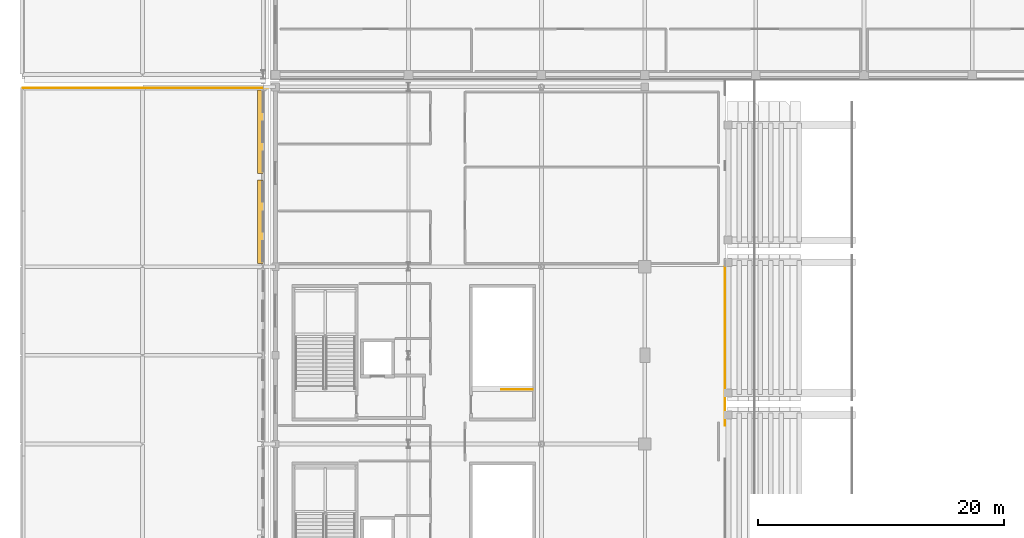
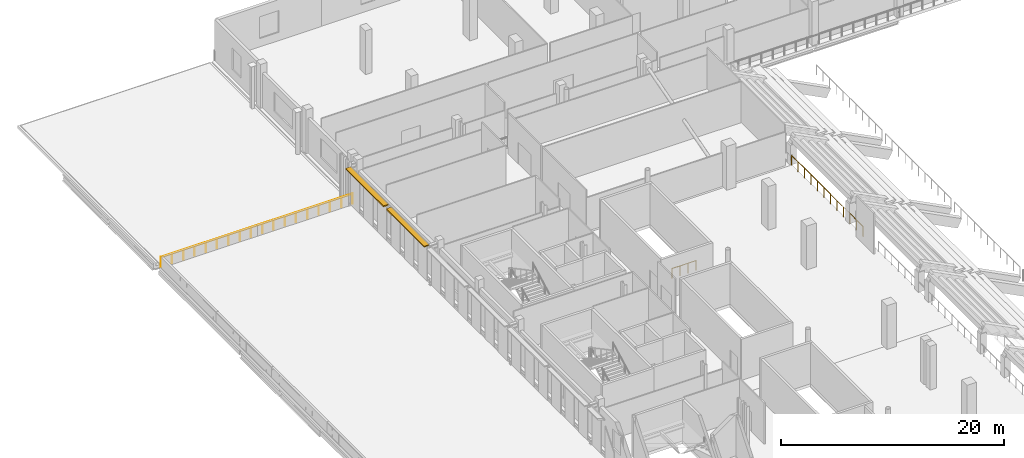
# One storey, part 61 of 74: 3 railings, 2 shading devices.
"""IFC4 building model written with IfcOpenShell, lengths in metres."""

from ifc_helpers import new_model, si_unit, direction, frame, origin, origin_2d, place, context, subcontext, project, spatial, rectangle, circle, extrude, material, type_object, element, save


model = new_model("IFC4")

# Units and contexts
model_context = context("Model", 3, precision=1e-05, world=origin(), true_north=direction((0.0, 1.0)))
body_context = subcontext(model_context, "Body", "Model", "MODEL_VIEW")
ifc_project = project(units=[si_unit("LENGTHUNIT", "METRE"), si_unit("AREAUNIT", "SQUARE_METRE"), si_unit("VOLUMEUNIT", "CUBIC_METRE"), si_unit("PLANEANGLEUNIT", "RADIAN"), si_unit("MASSUNIT", "GRAM", prefix="KILO")], contexts=[model_context])

# Site, building, storey
site_placement = place(None, origin())
site = spatial("IfcSite", under=ifc_project, at=site_placement, CompositionType="ELEMENT")
building_placement = place(site_placement, origin())
building = spatial("IfcBuilding", under=site, at=building_placement, Name="Koshinbarg Plaza Stadium", CompositionType="ELEMENT")
storey_placement = place(building_placement, frame((0.0, 0.0, 15.0)))
storey = spatial("IfcBuildingStorey", under=building, at=storey_placement, Name="L03", CompositionType="ELEMENT", Elevation=15.0)

# Railings
ifc_material_1 = material(Name="Toughened laminated glass and stainless steel sightline balustrade", Category="steel")
railing_type_1 = type_object("IfcRailingType", Name="RL-BOWL-1100", PredefinedType="BALUSTRADE", material=ifc_material_1)
railing_1_placement = place(storey_placement, frame((61.1201171875, 111.89990234375, 0.0)))
element("IfcRailing", 1, at=railing_1_placement, inside=storey, type_object=railing_type_1, Name="L03 deck edge safety balustrade 0230", PredefinedType="BALUSTRADE", context=body_context, shape_type="SweptSolid", body=[
    extrude(circle(Radius=0.02392578125, at=origin_2d()), frame((0.0, 0.0, 1.076171875), z_axis=(0.0, -1.0, 0.0), x_axis=(1.0, 0.0, 0.0)), (0.0, 0.0, 1.0), 12.8837890625),
    extrude(circle(Radius=0.02099609375, at=origin_2d()), origin(), (0.0, 0.0, 1.0), 1.052001953125),
    extrude(circle(Radius=0.02099609375, at=origin_2d()), frame((0.0, -1.171142578125, 0.0)), (0.0, 0.0, 1.0), 1.052001953125),
    extrude(circle(Radius=0.02099609375, at=origin_2d()), frame((0.0, -2.342529296875, 0.0)), (0.0, 0.0, 1.0), 1.052001953125),
    extrude(circle(Radius=0.02099609375, at=origin_2d()), frame((0.0, -3.513671875, 0.0)), (0.0, 0.0, 1.0), 1.052001953125),
    extrude(circle(Radius=0.02099609375, at=origin_2d()), frame((0.0, -4.68505859375, 0.0)), (0.0, 0.0, 1.0), 1.052001953125),
    extrude(circle(Radius=0.02099609375, at=origin_2d()), frame((0.0, -5.856201171875, 0.0)), (0.0, 0.0, 1.0), 1.052001953125),
    extrude(circle(Radius=0.02099609375, at=origin_2d()), frame((0.0, -7.027587890625, 0.0)), (0.0, 0.0, 1.0), 1.052001953125),
    extrude(circle(Radius=0.02099609375, at=origin_2d()), frame((0.0, -8.19873046875, 0.0)), (0.0, 0.0, 1.0), 1.052001953125),
    extrude(circle(Radius=0.02099609375, at=origin_2d()), frame((0.0, -9.3701171875, 0.0)), (0.0, 0.0, 1.0), 1.052001953125),
    extrude(circle(Radius=0.02099609375, at=origin_2d()), frame((0.0, -10.541259765625, 0.0)), (0.0, 0.0, 1.0), 1.052001953125),
    extrude(circle(Radius=0.02099609375, at=origin_2d()), frame((0.0, -11.712646484375, 0.0)), (0.0, 0.0, 1.0), 1.052001953125),
    extrude(circle(Radius=0.02099609375, at=origin_2d()), frame((0.0, -12.8837890625, 0.0)), (0.0, 0.0, 1.0), 1.052001953125),
])
ifc_material_2 = material(Name="Galvanized painted steel guardrail", Category="steel")
railing_type_2 = type_object("IfcRailingType", Name="RL-GUARD-1100", PredefinedType="GUARDRAIL", material=ifc_material_2)
railing_2_placement = place(storey_placement, frame((23.97509765625, 126.419921875, 0.0)))
element("IfcRailing", 2, at=railing_2_placement, inside=storey, type_object=railing_type_2, Name="L03 roof garden RG-L03-NW guard 0002", PredefinedType="GUARDRAIL", context=body_context, shape_type="SweptSolid", body=[
    extrude(circle(Radius=0.02392578125, at=origin_2d()), frame((0.0, 0.0, 1.076171875), z_axis=(-1.0, 0.0, 0.0), x_axis=(0.0, -1.0, 0.0)), (0.0, 0.0, 1.0), 19.89501953125),
    extrude(circle(Radius=0.02099609375, at=origin_2d()), origin(), (0.0, 0.0, 1.0), 1.052001953125),
    extrude(circle(Radius=0.02099609375, at=origin_2d()), frame((-1.17041015625, 0.0, 0.0)), (0.0, 0.0, 1.0), 1.052001953125),
    extrude(circle(Radius=0.02099609375, at=origin_2d()), frame((-2.340576171875, 0.0, 0.0)), (0.0, 0.0, 1.0), 1.052001953125),
    extrude(circle(Radius=0.02099609375, at=origin_2d()), frame((-3.510986328125, 0.0, 0.0)), (0.0, 0.0, 1.0), 1.052001953125),
    extrude(circle(Radius=0.02099609375, at=origin_2d()), frame((-4.68115234375, 0.0, 0.0)), (0.0, 0.0, 1.0), 1.052001953125),
    extrude(circle(Radius=0.02099609375, at=origin_2d()), frame((-5.8515625, 0.0, 0.0)), (0.0, 0.0, 1.0), 1.052001953125),
    extrude(circle(Radius=0.02099609375, at=origin_2d()), frame((-7.021728515625, 0.0, 0.0)), (0.0, 0.0, 1.0), 1.052001953125),
    extrude(circle(Radius=0.02099609375, at=origin_2d()), frame((-8.192138671875, 0.0, 0.0)), (0.0, 0.0, 1.0), 1.052001953125),
    extrude(circle(Radius=0.02099609375, at=origin_2d()), frame((-9.3623046875, 0.0, 0.0)), (0.0, 0.0, 1.0), 1.052001953125),
    extrude(circle(Radius=0.02099609375, at=origin_2d()), frame((-10.53271484375, 0.0, 0.0)), (0.0, 0.0, 1.0), 1.052001953125),
    extrude(circle(Radius=0.02099609375, at=origin_2d()), frame((-11.702880859375, 0.0, 0.0)), (0.0, 0.0, 1.0), 1.052001953125),
    extrude(circle(Radius=0.02099609375, at=origin_2d()), frame((-12.873291015625, 0.0, 0.0)), (0.0, 0.0, 1.0), 1.052001953125),
    extrude(circle(Radius=0.02099609375, at=origin_2d()), frame((-14.04345703125, 0.0, 0.0)), (0.0, 0.0, 1.0), 1.052001953125),
    extrude(circle(Radius=0.02099609375, at=origin_2d()), frame((-15.2138671875, 0.0, 0.0)), (0.0, 0.0, 1.0), 1.052001953125),
    extrude(circle(Radius=0.02099609375, at=origin_2d()), frame((-16.384033203125, 0.0, 0.0)), (0.0, 0.0, 1.0), 1.052001953125),
    extrude(circle(Radius=0.02099609375, at=origin_2d()), frame((-17.554443359375, 0.0, 0.0)), (0.0, 0.0, 1.0), 1.052001953125),
    extrude(circle(Radius=0.02099609375, at=origin_2d()), frame((-18.724609375, 0.0, 0.0)), (0.0, 0.0, 1.0), 1.052001953125),
    extrude(circle(Radius=0.02099609375, at=origin_2d()), frame((-19.89501953125, 0.0, 0.0)), (0.0, 0.0, 1.0), 1.052001953125),
])
railing_3_placement = place(storey_placement, frame((45.469970703125, 101.909912109375, 0.0)))
element("IfcRailing", 3, at=railing_3_placement, inside=storey, type_object=railing_type_2, Name="L03 VX06 top stairwell guard 1", PredefinedType="GUARDRAIL", context=body_context, shape_type="SweptSolid", body=[
    extrude(circle(Radius=0.02392578125, at=origin_2d()), frame((0.0, 0.0, 1.076171875), z_axis=(-1.0, 0.0, 0.0), x_axis=(0.0, -1.0, 0.0)), (0.0, 0.0, 1.0), 2.510009765625),
    extrude(circle(Radius=0.02099609375, at=origin_2d()), origin(), (0.0, 0.0, 1.0), 1.052001953125),
    extrude(circle(Radius=0.02099609375, at=origin_2d()), frame((-0.836669921875, 0.0, 0.0)), (0.0, 0.0, 1.0), 1.052001953125),
    extrude(circle(Radius=0.02099609375, at=origin_2d()), frame((-1.67333984375, 0.0, 0.0)), (0.0, 0.0, 1.0), 1.052001953125),
    extrude(circle(Radius=0.02099609375, at=origin_2d()), frame((-2.510009765625, 0.0, 0.0)), (0.0, 0.0, 1.0), 1.052001953125),
])

# Shading devices
ifc_material_3 = material(Name="Off-white powder-coated aluminium sun-baffle louvre", Category="aluminium")
shading_device_type = type_object("IfcShadingDeviceType", Name="SHD-LOUVRE-01", PredefinedType="USERDEFINED", material=ifc_material_3)
for number, where, z_axis, x_axis, name in (
    (4, (23.429931640625, 115.550048828125, 4.119873046875), (0.0, 0.0, 1.0), (1.0, 0.0, 0.0), "L03 solar brise-soleil louvre 13"),
    (5, (23.429931640625, 122.85009765625, 4.119873046875), (0.0, 0.0, 1.0), (1.0, 0.0, 0.0), "L03 solar brise-soleil louvre 14"),
):
    element("IfcShadingDevice", number, at=place(storey_placement, frame(where, z_axis=z_axis, x_axis=x_axis)), inside=storey, type_object=shading_device_type, Name=name, ObjectType="LOUVRE", PredefinedType="USERDEFINED", context=body_context, shape_type="SweptSolid", body=[
        extrude(rectangle(XDim=0.550048828125, YDim=6.800048828125, at=origin_2d()), origin(), (0.0, 0.0, 1.0), 0.1201171875),
    ])

save(model, "model.ifc")
